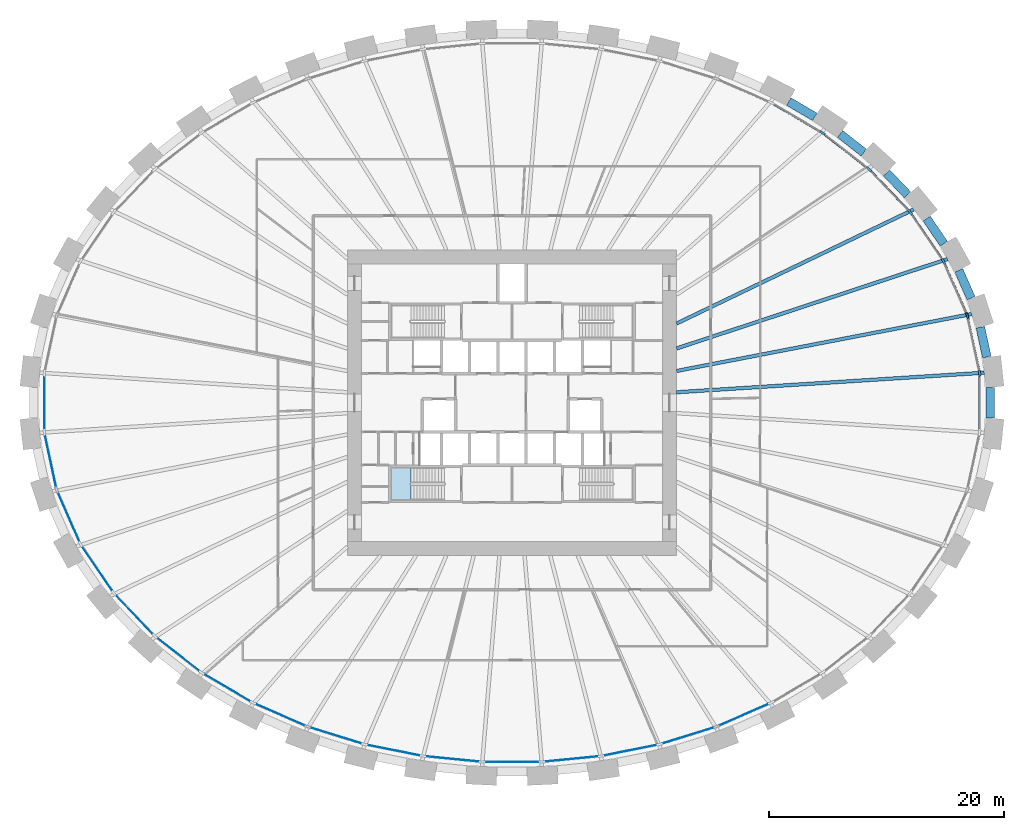
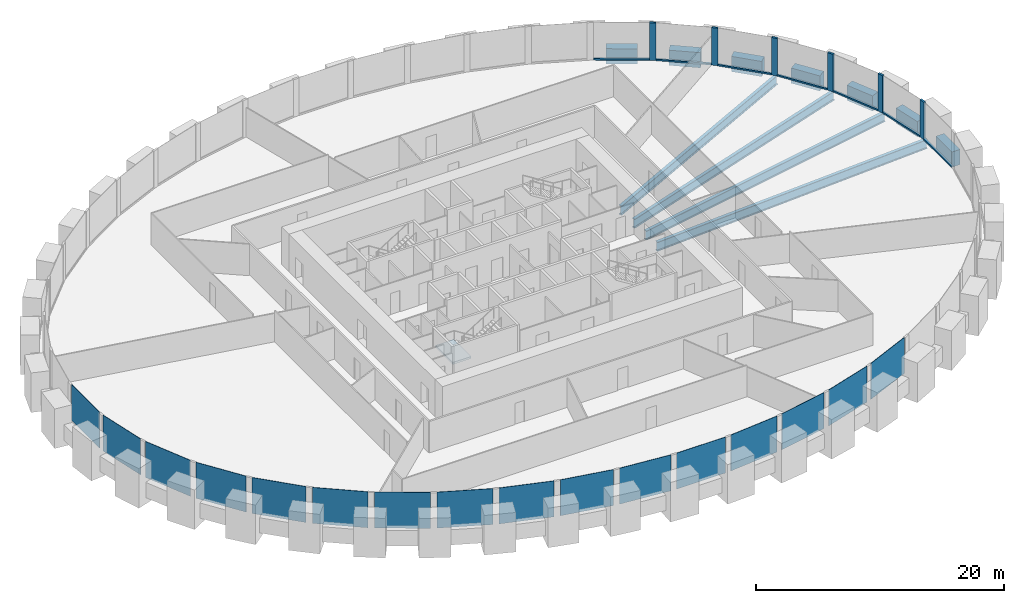
# One storey, part 4 of 10: 16 plates, 13 members, 11 beams, 1 slab, 2 elements without a shape of their own.
"""IFC4 building model written with IfcOpenShell, lengths in metres."""

from ifc_helpers import new_model, si_unit, direction, frame, origin, origin_2d, place, context, subcontext, project, spatial, polyline, rectangle, i_section, outline, extrude, source, transform, mapped, material, layer, layer_set, material_profile, profile_set, type_object, element, aggregate, save


model = new_model("IFC4")

# Units and contexts
model_context = context("Model", 3, precision=1e-05, world=origin(), true_north=direction((0.0, 1.0)))
body_context = subcontext(model_context, "Body", "Model", "MODEL_VIEW")
ifc_project = project(units=[si_unit("LENGTHUNIT", "METRE"), si_unit("AREAUNIT", "SQUARE_METRE"), si_unit("VOLUMEUNIT", "CUBIC_METRE"), si_unit("PLANEANGLEUNIT", "RADIAN"), si_unit("MASSUNIT", "GRAM", prefix="KILO")], contexts=[model_context])

# Site, building, storey
site_placement = place(None, origin())
site = spatial("IfcSite", under=ifc_project, at=site_placement, CompositionType="ELEMENT")
building_placement = place(site_placement, origin())
building = spatial("IfcBuilding", under=site, at=building_placement, Name="Embergate Tower", CompositionType="ELEMENT")
storey_placement = place(building_placement, frame((0.0, 0.0, 93.199951171875)))
storey = spatial("IfcBuildingStorey", under=building, at=storey_placement, Name="L19", CompositionType="ELEMENT", Elevation=93.199951171875)

# Beams
ifc_material_1 = material(Name="Concrete C70", Category="concrete")
ifc_material_profile_1 = material_profile(ifc_material_1, rectangle(XDim=0.75, YDim=1.5, at=origin_2d()), Name="RC 750x1500")
ifc_profile_set_1 = profile_set([ifc_material_profile_1], Name="Concrete C70")
beam_type_1 = type_object("IfcBeamType", Name="Spandrel beam RC 750x1500 C70", PredefinedType="BEAM", material=ifc_profile_set_1)
shared_shape_1 = source(origin(), body_context, "Body", "SweptSolid", [
    extrude(rectangle(XDim=0.75, YDim=1.5, at=origin_2d()), origin(), (0.0, 0.0, 1.0), 2.593017578125),
])
beam_1_placement = place(storey_placement, frame((40.383056640625, 3.882080078125, 0.0), z_axis=(-0.210615598697, 0.977568958993, 0.0), x_axis=(-0.977568958993, -0.210615598697, 0.0)))
element("IfcBeam", 1, at=beam_1_placement, inside=storey, type_object=beam_type_1, Name="SPN-L19-00", PredefinedType="BEAM", context=body_context, shape_type="MappedRepresentation", body=[
    mapped(shared_shape_1, transform((0.0, 0.0, 0.0))),
])
shared_shape_2 = source(origin(), body_context, "Body", "SweptSolid", [
    extrude(rectangle(XDim=0.75, YDim=1.5, at=origin_2d()), origin(), (0.0, 0.0, 1.0), 2.587646484375),
])
beam_2_placement = place(storey_placement, frame((39.037109375, 8.89111328125, 0.0), z_axis=(-0.401546272055, 0.915838736568, 0.0), x_axis=(-0.915838736568, -0.401546272055, 0.0)))
element("IfcBeam", 2, at=beam_2_placement, inside=storey, type_object=beam_type_1, Name="SPN-L19-01", PredefinedType="BEAM", context=body_context, shape_type="MappedRepresentation", body=[
    mapped(shared_shape_2, transform((0.0, 0.0, 0.0))),
])
shared_shape_3 = source(origin(), body_context, "Body", "SweptSolid", [
    extrude(rectangle(XDim=0.75, YDim=1.5, at=origin_2d()), origin(), (0.0, 0.0, 1.0), 2.5791015625),
])
beam_3_placement = place(storey_placement, frame((36.721923828125, 13.52587890625, 0.0), z_axis=(-0.562170202136, 0.82702156189, 0.0), x_axis=(-0.82702156189, -0.562170202136, 0.0)))
element("IfcBeam", 3, at=beam_3_placement, inside=storey, type_object=beam_type_1, Name="SPN-L19-02", PredefinedType="BEAM", context=body_context, shape_type="MappedRepresentation", body=[
    mapped(shared_shape_3, transform((0.0, 0.0, 0.0))),
])
shared_shape_4 = source(origin(), body_context, "Body", "SweptSolid", [
    extrude(rectangle(XDim=0.75, YDim=1.5, at=origin_2d()), origin(), (0.0, 0.0, 1.0), 2.57373046875),
])
beam_4_placement = place(storey_placement, frame((33.637939453125, 17.680908203125, 0.0), z_axis=(-0.689972491303, 0.723835589927, 0.0), x_axis=(-0.723835589927, -0.689972491303, 0.0)))
element("IfcBeam", 4, at=beam_4_placement, inside=storey, type_object=beam_type_1, Name="SPN-L19-03", PredefinedType="BEAM", context=body_context, shape_type="MappedRepresentation", body=[
    mapped(shared_shape_4, transform((0.0, 0.0, 0.0))),
])
shared_shape_5 = source(origin(), body_context, "Body", "SweptSolid", [
    extrude(rectangle(XDim=0.75, YDim=1.5, at=origin_2d()), origin(), (0.0, 0.0, 1.0), 2.5654296875),
])
beam_5_placement = place(storey_placement, frame((29.9208984375, 21.27392578125, 0.0), z_axis=(-0.788131123291, 0.615507378103, 0.0), x_axis=(-0.615507378103, -0.788131123291, 0.0)))
element("IfcBeam", 5, at=beam_5_placement, inside=storey, type_object=beam_type_1, Name="SPN-L19-04", PredefinedType="BEAM", context=body_context, shape_type="MappedRepresentation", body=[
    mapped(shared_shape_5, transform((0.0, 0.0, 0.0))),
])
shared_shape_6 = source(origin(), body_context, "Body", "SweptSolid", [
    extrude(rectangle(XDim=0.75, YDim=1.5, at=origin_2d()), origin(), (0.0, 0.0, 1.0), 2.561279296875),
])
beam_6_placement = place(storey_placement, frame((25.7490234375, 24.31494140625, 0.0), z_axis=(-0.862059156479, 0.506807666409, 0.0), x_axis=(-0.506807666409, -0.862059156479, 0.0)))
element("IfcBeam", 6, at=beam_6_placement, inside=storey, type_object=beam_type_1, Name="SPN-L19-05", PredefinedType="BEAM", context=body_context, shape_type="MappedRepresentation", body=[
    mapped(shared_shape_6, transform((0.0, 0.0, 0.0))),
])
shared_shape_7 = source(origin(), body_context, "Body", "SweptSolid", [
    extrude(rectangle(XDim=0.75, YDim=1.5, at=origin_2d()), origin(), (0.0, 0.0, 1.0), 2.59814453125),
])
beam_7_placement = place(storey_placement, frame((40.677978515625, -1.299072265625, 0.0), z_axis=(0.0, 1.0, 0.0), x_axis=(-1.0, 0.0, 0.0)))
element("IfcBeam", 7, at=beam_7_placement, inside=storey, type_object=beam_type_1, Name="SPN-L19-43", PredefinedType="BEAM", context=body_context, shape_type="MappedRepresentation", body=[
    mapped(shared_shape_7, transform((0.0, 0.0, 0.0))),
])
ifc_material_2 = material(Name="Steel Q355B", Category="steel")
ifc_material_profile_2 = material_profile(ifc_material_2, i_section(OverallWidth=0.300048828125, OverallDepth=0.89990234375, WebThickness=0.01611328125, FlangeThickness=0.028076171875, FilletRadius=0.028076171875, at=origin_2d()), Name="HN 900x300x16x28")
ifc_profile_set_2 = profile_set([ifc_material_profile_2], Name="Steel Q355 grade B")
beam_type_2 = type_object("IfcBeamType", Name="Radial girder HN 900x300x16x28", PredefinedType="BEAM", material=ifc_profile_set_2)
shared_shape_8 = source(origin(), body_context, "Body", "SweptSolid", [
    extrude(i_section(OverallWidth=0.300048828125, OverallDepth=0.89990234375, WebThickness=0.01611328125, FlangeThickness=0.028076171875, FilletRadius=0.028076171875, at=origin_2d()), origin(), (0.0, 0.0, 1.0), 26.2158203125),
])
beam_8_placement = place(storey_placement, frame((40.1630859375, 2.551025390625, -0.64990234375), z_axis=(-0.997988133713, -0.063400985539, 0.0), x_axis=(0.063400985539, -0.997988133713, 0.0)))
element("IfcBeam", 8, at=beam_8_placement, inside=storey, type_object=beam_type_2, Name="GIR-L19-00", PredefinedType="BEAM", context=body_context, shape_type="MappedRepresentation", body=[
    mapped(shared_shape_8, transform((0.0, 0.0, 0.0))),
])
shared_shape_9 = source(origin(), body_context, "Body", "SweptSolid", [
    extrude(i_section(OverallWidth=0.300048828125, OverallDepth=0.89990234375, WebThickness=0.01611328125, FlangeThickness=0.028076171875, FilletRadius=0.028076171875, at=origin_2d()), origin(), (0.0, 0.0, 1.0), 25.5517578125),
])
beam_9_placement = place(storey_placement, frame((39.089111328125, 7.541015625, -0.64990234375), z_axis=(-0.981895532799, -0.189423236878, 0.0), x_axis=(0.189423236878, -0.981895532799, 0.0)))
element("IfcBeam", 9, at=beam_9_placement, inside=storey, type_object=beam_type_2, Name="GIR-L19-01", PredefinedType="BEAM", context=body_context, shape_type="MappedRepresentation", body=[
    mapped(shared_shape_9, transform((0.0, 0.0, 0.0))),
])
shared_shape_10 = source(origin(), body_context, "Body", "SweptSolid", [
    extrude(i_section(OverallWidth=0.300048828125, OverallDepth=0.89990234375, WebThickness=0.01611328125, FlangeThickness=0.028076171875, FilletRadius=0.028076171875, at=origin_2d()), origin(), (0.0, 0.0, 1.0), 24.259521484375),
])
beam_10_placement = place(storey_placement, frame((37.0390625, 12.215087890625, -0.64990234375), z_axis=(-0.949686852887, -0.313201024029, 0.0), x_axis=(0.313201024029, -0.949686852887, 0.0)))
element("IfcBeam", 10, at=beam_10_placement, inside=storey, type_object=beam_type_2, Name="GIR-L19-02", PredefinedType="BEAM", context=body_context, shape_type="MappedRepresentation", body=[
    mapped(shared_shape_10, transform((0.0, 0.0, 0.0))),
])
shared_shape_11 = source(origin(), body_context, "Body", "SweptSolid", [
    extrude(i_section(OverallWidth=0.300048828125, OverallDepth=0.89990234375, WebThickness=0.01611328125, FlangeThickness=0.028076171875, FilletRadius=0.028076171875, at=origin_2d()), origin(), (0.0, 0.0, 1.0), 22.381103515625),
])
beam_11_placement = place(storey_placement, frame((34.1689453125, 16.43701171875, -0.64990234375), z_axis=(-0.901159999326, -0.4334866268, 0.0), x_axis=(0.4334866268, -0.901159999326, 0.0)))
element("IfcBeam", 11, at=beam_11_placement, inside=storey, type_object=beam_type_2, Name="GIR-L19-03", PredefinedType="BEAM", context=body_context, shape_type="MappedRepresentation", body=[
    mapped(shared_shape_11, transform((0.0, 0.0, 0.0))),
])

# Curtain wall, members, plates
ifc_material_3 = material(Name="Aluminium and glass", Category="aluminium")
curtain_wall_type = type_object("IfcCurtainWallType", Name="Recessed office glazing", PredefinedType="NOTDEFINED", material=ifc_material_3)
curtain_wall_placement = place(storey_placement, origin())
curtain_wall = element("IfcCurtainWall", 12, at=curtain_wall_placement, inside=storey, type_object=curtain_wall_type, Name="Recessed office glazing ring", ObjectType="RECESSED OFFICE GLAZING", PredefinedType="USERDEFINED")
ifc_material_4 = material(Name="Aluminium, thermally broken", Category="aluminium")
ifc_material_profile_3 = material_profile(ifc_material_4, rectangle(XDim=0.179931640625, YDim=0.52001953125, at=origin_2d()), Name="AL 520x180")
ifc_profile_set_3 = profile_set([ifc_material_profile_3], Name="Aluminium, thermally broken")
member_type_1 = type_object("IfcMemberType", Name="Office mullion", PredefinedType="MULLION", material=ifc_profile_set_3)
shared_shape_12 = source(origin(), body_context, "Body", "SweptSolid", [
    extrude(rectangle(XDim=0.179931640625, YDim=0.52001953125, at=origin_2d()), origin(), (0.0, 0.0, 1.0), 3.699951171875),
])
member_1_placement = place(storey_placement, frame((39.775390625, 2.509765625, 0.0), z_axis=(0.0, 0.0, 1.0), x_axis=(-0.994385324123, -0.105819786286, 0.0)))
member_1 = element("IfcMember", 13, at=member_1_placement, type_object=member_type_1, Name="CW mullion 1", PredefinedType="MULLION", context=body_context, shape_type="MappedRepresentation", body=[
    mapped(shared_shape_12, transform((0.0, 0.0, 0.0))),
])
member_2_placement = place(storey_placement, frame((38.718994140625, 7.41943359375, 0.0), z_axis=(0.0, 0.0, 1.0), x_axis=(-0.951500482757, -0.30764725143, 0.0)))
member_2 = element("IfcMember", 14, at=member_2_placement, type_object=member_type_1, Name="CW mullion 2", PredefinedType="MULLION", context=body_context, shape_type="MappedRepresentation", body=[
    mapped(shared_shape_12, transform((0.0, 0.0, 0.0))),
])
member_3_placement = place(storey_placement, frame((36.698974609375, 12.025390625, 0.0), z_axis=(0.0, 0.0, 1.0), x_axis=(-0.875006120538, -0.484111855898, 0.0)))
member_3 = element("IfcMember", 15, at=member_3_placement, type_object=member_type_1, Name="CW mullion 3", PredefinedType="MULLION", context=body_context, shape_type="MappedRepresentation", body=[
    mapped(shared_shape_12, transform((0.0, 0.0, 0.0))),
])
member_4_placement = place(storey_placement, frame((33.86572265625, 16.19140625, 0.0), z_axis=(0.0, 0.0, 1.0), x_axis=(-0.777878048342, -0.628415262312, 0.0)))
member_4 = element("IfcMember", 16, at=member_4_placement, type_object=member_type_1, Name="CW mullion 4", PredefinedType="MULLION", context=body_context, shape_type="MappedRepresentation", body=[
    mapped(shared_shape_12, transform((0.0, 0.0, 0.0))),
])
member_5_placement = place(storey_placement, frame((30.382568359375, 19.84375, 0.0), z_axis=(0.0, 0.0, 1.0), x_axis=(-0.671231708857, -0.741247592256, 0.0)))
member_5 = element("IfcMember", 17, at=member_5_placement, type_object=member_type_1, Name="CW mullion 5", PredefinedType="MULLION", context=body_context, shape_type="MappedRepresentation", body=[
    mapped(shared_shape_12, transform((0.0, 0.0, 0.0))),
])
member_6_placement = place(storey_placement, frame((26.39794921875, 22.95361328125, 0.0), z_axis=(0.0, 0.0, 1.0), x_axis=(-0.562220505278, -0.826987365953, 0.0)))
member_6 = element("IfcMember", 18, at=member_6_placement, type_object=member_type_1, Name="CW mullion 6", PredefinedType="MULLION", context=body_context, shape_type="MappedRepresentation", body=[
    mapped(shared_shape_12, transform((0.0, 0.0, 0.0))),
])
ifc_material_profile_4 = material_profile(ifc_material_4, rectangle(XDim=0.179931640625, YDim=0.14990234375, at=origin_2d()), Name="AL 150x180")
ifc_profile_set_4 = profile_set([ifc_material_profile_4], Name="Aluminium, thermally broken")
member_type_2 = type_object("IfcMemberType", Name="Office sill transom", PredefinedType="USERDEFINED", material=ifc_profile_set_4)
shared_shape_13 = source(origin(), body_context, "Body", "SweptSolid", [
    extrude(rectangle(XDim=0.179931640625, YDim=0.14990234375, at=origin_2d()), origin(), (0.0, 0.0, 1.0), 4.502197265625),
])
member_7_placement = place(storey_placement, frame((39.720703125, 2.763916015625, 0.074951171875), z_axis=(-0.210351167002, 0.977625892937, 0.0), x_axis=(-0.977625892937, -0.210351167002, 0.0)))
member_7 = element("IfcMember", 19, at=member_7_placement, type_object=member_type_2, Name="CW transom 1.1", ObjectType="TRANSOM", PredefinedType="USERDEFINED", context=body_context, shape_type="MappedRepresentation", body=[
    mapped(shared_shape_13, transform((0.0, 0.0, 0.0))),
])
shared_shape_14 = source(origin(), body_context, "Body", "SweptSolid", [
    extrude(rectangle(XDim=0.179931640625, YDim=0.14990234375, at=origin_2d()), origin(), (0.0, 0.0, 1.0), 4.50927734375),
])
member_8_placement = place(storey_placement, frame((38.614501953125, 7.65771484375, 0.074951171875), z_axis=(-0.401687783821, 0.915776678197, 0.0), x_axis=(-0.915776678197, -0.401687783821, 0.0)))
member_8 = element("IfcMember", 20, at=member_8_placement, type_object=member_type_2, Name="CW transom 2.1", ObjectType="TRANSOM", PredefinedType="USERDEFINED", context=body_context, shape_type="MappedRepresentation", body=[
    mapped(shared_shape_14, transform((0.0, 0.0, 0.0))),
])
shared_shape_15 = source(origin(), body_context, "Body", "SweptSolid", [
    extrude(rectangle(XDim=0.179931640625, YDim=0.14990234375, at=origin_2d()), origin(), (0.0, 0.0, 1.0), 4.51806640625),
])
member_9_placement = place(storey_placement, frame((36.552734375, 12.240234375, 0.074951171875), z_axis=(-0.562345492648, 0.826902380513, 0.0), x_axis=(-0.826902380513, -0.562345492648, 0.0)))
member_9 = element("IfcMember", 21, at=member_9_placement, type_object=member_type_2, Name="CW transom 3.1", ObjectType="TRANSOM", PredefinedType="USERDEFINED", context=body_context, shape_type="MappedRepresentation", body=[
    mapped(shared_shape_15, transform((0.0, 0.0, 0.0))),
])
shared_shape_16 = source(origin(), body_context, "Body", "SweptSolid", [
    extrude(rectangle(XDim=0.179931640625, YDim=0.14990234375, at=origin_2d()), origin(), (0.0, 0.0, 1.0), 4.527099609375),
])
member_10_placement = place(storey_placement, frame((33.686279296875, 16.37939453125, 0.074951171875), z_axis=(-0.690135768869, 0.723679915797, 0.0), x_axis=(-0.723679915797, -0.690135768869, 0.0)))
member_10 = element("IfcMember", 22, at=member_10_placement, type_object=member_type_2, Name="CW transom 4.1", ObjectType="TRANSOM", PredefinedType="USERDEFINED", context=body_context, shape_type="MappedRepresentation", body=[
    mapped(shared_shape_16, transform((0.0, 0.0, 0.0))),
])
shared_shape_17 = source(origin(), body_context, "Body", "SweptSolid", [
    extrude(rectangle(XDim=0.179931640625, YDim=0.14990234375, at=origin_2d()), origin(), (0.0, 0.0, 1.0), 4.53466796875),
])
member_11_placement = place(storey_placement, frame((30.177734375, 20.003662109375, 0.074951171875), z_axis=(-0.78831323582, 0.615274119584, 0.0), x_axis=(-0.615274119584, -0.78831323582, 0.0)))
member_11 = element("IfcMember", 23, at=member_11_placement, type_object=member_type_2, Name="CW transom 5.1", ObjectType="TRANSOM", PredefinedType="USERDEFINED", context=body_context, shape_type="MappedRepresentation", body=[
    mapped(shared_shape_17, transform((0.0, 0.0, 0.0))),
])
shared_shape_18 = source(origin(), body_context, "Body", "SweptSolid", [
    extrude(rectangle(XDim=0.179931640625, YDim=0.14990234375, at=origin_2d()), origin(), (0.0, 0.0, 1.0), 4.54052734375),
])
member_12_placement = place(storey_placement, frame((26.173828125, 23.08544921875, 0.074951171875), z_axis=(-0.862042012294, 0.506836826839, 0.0), x_axis=(-0.506836826839, -0.862042012294, 0.0)))
member_12 = element("IfcMember", 24, at=member_12_placement, type_object=member_type_2, Name="CW transom 6.1", ObjectType="TRANSOM", PredefinedType="USERDEFINED", context=body_context, shape_type="MappedRepresentation", body=[
    mapped(shared_shape_18, transform((0.0, 0.0, 0.0))),
])
shared_shape_19 = source(origin(), body_context, "Body", "SweptSolid", [
    extrude(rectangle(XDim=0.179931640625, YDim=0.14990234375, at=origin_2d()), origin(), (0.0, 0.0, 1.0), 4.49951171875),
])
member_13_placement = place(storey_placement, frame((39.775390625, -2.249755859375, 0.074951171875), z_axis=(0.0, 1.0, 0.0), x_axis=(-1.0, 0.0, 0.0)))
member_13 = element("IfcMember", 25, at=member_13_placement, type_object=member_type_2, Name="CW transom 44.1", ObjectType="TRANSOM", PredefinedType="USERDEFINED", context=body_context, shape_type="MappedRepresentation", body=[
    mapped(shared_shape_19, transform((0.0, 0.0, 0.0))),
])
ifc_material_5 = material(Name="Triple glazing, low-emissivity coating", Category="glass")
ifc_layer_1 = layer(ifc_material_5, 0.035888671875)
ifc_layer_set_1 = layer_set([ifc_layer_1], Name="Triple glazing, low-emissivity coating")
plate_type = type_object("IfcPlateType", Name="Office glazing unit", PredefinedType="CURTAIN_PANEL", material=ifc_layer_set_1)
shared_shape_20 = source(origin(), body_context, "Body", "SweptSolid", [
    extrude(rectangle(XDim=4.502197265625, YDim=0.035888671875, at=origin_2d()), origin(), (0.0, 0.0, 1.0), 3.550048828125),
])
plate_1_placement = place(storey_placement, frame((-39.247314453125, -4.964599609375, 0.14990234375), z_axis=(0.0, 0.0, 1.0), x_axis=(0.210396684915, -0.977616097953, 0.0)))
plate_1 = element("IfcPlate", 26, at=plate_1_placement, type_object=plate_type, Name="CW panel 23.1", PredefinedType="CURTAIN_PANEL", context=body_context, shape_type="MappedRepresentation", body=[
    mapped(shared_shape_20, transform((0.0, 0.0, 0.0))),
])
shared_shape_21 = source(origin(), body_context, "Body", "SweptSolid", [
    extrude(rectangle(XDim=4.50927734375, YDim=0.035888671875, at=origin_2d()), origin(), (0.0, 0.0, 1.0), 3.550048828125),
])
plate_2_placement = place(storey_placement, frame((-37.708984375, -9.722412109375, 0.14990234375), z_axis=(0.0, 0.0, 1.0), x_axis=(0.401650502798, -0.915793029894, 0.0)))
plate_2 = element("IfcPlate", 27, at=plate_2_placement, type_object=plate_type, Name="CW panel 24.1", PredefinedType="CURTAIN_PANEL", context=body_context, shape_type="MappedRepresentation", body=[
    mapped(shared_shape_21, transform((0.0, 0.0, 0.0))),
])
shared_shape_22 = source(origin(), body_context, "Body", "SweptSolid", [
    extrude(rectangle(XDim=4.518310546875, YDim=0.035888671875, at=origin_2d()), origin(), (0.0, 0.0, 1.0), 3.550048828125),
])
plate_3_placement = place(storey_placement, frame((-35.2822265625, -14.1083984375, 0.14990234375), z_axis=(0.0, 0.0, 1.0), x_axis=(0.562340298693, -0.826905912705, 0.0)))
plate_3 = element("IfcPlate", 28, at=plate_3_placement, type_object=plate_type, Name="CW panel 25.1", PredefinedType="CURTAIN_PANEL", context=body_context, shape_type="MappedRepresentation", body=[
    mapped(shared_shape_22, transform((0.0, 0.0, 0.0))),
])
shared_shape_23 = source(origin(), body_context, "Body", "SweptSolid", [
    extrude(rectangle(XDim=4.527099609375, YDim=0.035888671875, at=origin_2d()), origin(), (0.0, 0.0, 1.0), 3.550048828125),
])
plate_4_placement = place(storey_placement, frame((-32.124267578125, -18.017578125, 0.14990234375), z_axis=(0.0, 0.0, 1.0), x_axis=(0.6901325214, -0.723683012724, 0.0)))
plate_4 = element("IfcPlate", 29, at=plate_4_placement, type_object=plate_type, Name="CW panel 26.1", PredefinedType="CURTAIN_PANEL", context=body_context, shape_type="MappedRepresentation", body=[
    mapped(shared_shape_23, transform((0.0, 0.0, 0.0))),
])
shared_shape_24 = source(origin(), body_context, "Body", "SweptSolid", [
    extrude(rectangle(XDim=4.534423828125, YDim=0.035888671875, at=origin_2d()), origin(), (0.0, 0.0, 1.0), 3.550048828125),
])
plate_5_placement = place(storey_placement, frame((-28.390380859375, -21.398681640625, 0.14990234375), z_axis=(0.0, 0.0, 1.0), x_axis=(0.788319045413, -0.615266676035, 0.0)))
plate_5 = element("IfcPlate", 30, at=plate_5_placement, type_object=plate_type, Name="CW panel 27.1", PredefinedType="CURTAIN_PANEL", context=body_context, shape_type="MappedRepresentation", body=[
    mapped(shared_shape_24, transform((0.0, 0.0, 0.0))),
])
shared_shape_25 = source(origin(), body_context, "Body", "SweptSolid", [
    extrude(rectangle(XDim=4.54052734375, YDim=0.035888671875, at=origin_2d()), origin(), (0.0, 0.0, 1.0), 3.550048828125),
])
plate_6_placement = place(storey_placement, frame((-24.216796875, -24.236083984375, 0.14990234375), z_axis=(0.0, 0.0, 1.0), x_axis=(0.862052283246, -0.506819357316, 0.0)))
plate_6 = element("IfcPlate", 31, at=plate_6_placement, type_object=plate_type, Name="CW panel 28.1", PredefinedType="CURTAIN_PANEL", context=body_context, shape_type="MappedRepresentation", body=[
    mapped(shared_shape_25, transform((0.0, 0.0, 0.0))),
])
shared_shape_26 = source(origin(), body_context, "Body", "SweptSolid", [
    extrude(rectangle(XDim=4.545166015625, YDim=0.035888671875, at=origin_2d()), origin(), (0.0, 0.0, 1.0), 3.550048828125),
])
plate_7_placement = place(storey_placement, frame((-19.715087890625, -26.533203125, 0.14990234375), z_axis=(0.0, 0.0, 1.0), x_axis=(0.916235512493, -0.400640094905, 0.0)))
plate_7 = element("IfcPlate", 32, at=plate_7_placement, type_object=plate_type, Name="CW panel 29.1", PredefinedType="CURTAIN_PANEL", context=body_context, shape_type="MappedRepresentation", body=[
    mapped(shared_shape_26, transform((0.0, 0.0, 0.0))),
])
plate_8_placement = place(storey_placement, frame((19.715087890625, -26.533203125, 0.14990234375), z_axis=(0.0, 0.0, 1.0), x_axis=(0.916235512493, 0.400640094905, 0.0)))
plate_8 = element("IfcPlate", 33, at=plate_8_placement, type_object=plate_type, Name="CW panel 37.1", PredefinedType="CURTAIN_PANEL", context=body_context, shape_type="MappedRepresentation", body=[
    mapped(shared_shape_26, transform((0.0, 0.0, 0.0))),
])
shared_shape_27 = source(origin(), body_context, "Body", "SweptSolid", [
    extrude(rectangle(XDim=4.548583984375, YDim=0.035888671875, at=origin_2d()), origin(), (0.0, 0.0, 1.0), 3.550048828125),
])
plate_9_placement = place(storey_placement, frame((-14.97509765625, -28.30126953125, 0.14990234375), z_axis=(0.0, 0.0, 1.0), x_axis=(0.95477169822, -0.297339880067, 0.0)))
plate_9 = element("IfcPlate", 34, at=plate_9_placement, type_object=plate_type, Name="CW panel 30.1", PredefinedType="CURTAIN_PANEL", context=body_context, shape_type="MappedRepresentation", body=[
    mapped(shared_shape_27, transform((0.0, 0.0, 0.0))),
])
plate_10_placement = place(storey_placement, frame((14.97509765625, -28.30126953125, 0.14990234375), z_axis=(0.0, 0.0, 1.0), x_axis=(0.95477169822, 0.297339880067, 0.0)))
plate_10 = element("IfcPlate", 35, at=plate_10_placement, type_object=plate_type, Name="CW panel 36.1", PredefinedType="CURTAIN_PANEL", context=body_context, shape_type="MappedRepresentation", body=[
    mapped(shared_shape_27, transform((0.0, 0.0, 0.0))),
])
shared_shape_28 = source(origin(), body_context, "Body", "SweptSolid", [
    extrude(rectangle(XDim=4.55078125, YDim=0.035888671875, at=origin_2d()), origin(), (0.0, 0.0, 1.0), 3.550048828125),
])
plate_11_placement = place(storey_placement, frame((-10.069580078125, -29.55322265625, 0.14990234375), z_axis=(0.0, 0.0, 1.0), x_axis=(0.980475564207, -0.196640962142, 0.0)))
plate_11 = element("IfcPlate", 36, at=plate_11_placement, type_object=plate_type, Name="CW panel 31.1", PredefinedType="CURTAIN_PANEL", context=body_context, shape_type="MappedRepresentation", body=[
    mapped(shared_shape_28, transform((0.0, 0.0, 0.0))),
])
plate_12_placement = place(storey_placement, frame((10.069580078125, -29.55322265625, 0.14990234375), z_axis=(0.0, 0.0, 1.0), x_axis=(0.980475564207, 0.196640962142, 0.0)))
plate_12 = element("IfcPlate", 37, at=plate_12_placement, type_object=plate_type, Name="CW panel 35.1", PredefinedType="CURTAIN_PANEL", context=body_context, shape_type="MappedRepresentation", body=[
    mapped(shared_shape_28, transform((0.0, 0.0, 0.0))),
])
shared_shape_29 = source(origin(), body_context, "Body", "SweptSolid", [
    extrude(rectangle(XDim=4.552001953125, YDim=0.035888671875, at=origin_2d()), origin(), (0.0, 0.0, 1.0), 3.550048828125),
])
plate_13_placement = place(storey_placement, frame((-5.06005859375, -30.300048828125, 0.14990234375), z_axis=(0.0, 0.0, 1.0), x_axis=(0.995203184788, -0.097829550688, 0.0)))
plate_13 = element("IfcPlate", 38, at=plate_13_placement, type_object=plate_type, Name="CW panel 32.1", PredefinedType="CURTAIN_PANEL", context=body_context, shape_type="MappedRepresentation", body=[
    mapped(shared_shape_29, transform((0.0, 0.0, 0.0))),
])
plate_14_placement = place(storey_placement, frame((5.06005859375, -30.300048828125, 0.14990234375), z_axis=(0.0, 0.0, 1.0), x_axis=(0.995203184788, 0.097829550688, 0.0)))
plate_14 = element("IfcPlate", 39, at=plate_14_placement, type_object=plate_type, Name="CW panel 34.1", PredefinedType="CURTAIN_PANEL", context=body_context, shape_type="MappedRepresentation", body=[
    mapped(shared_shape_29, transform((0.0, 0.0, 0.0))),
])
shared_shape_30 = source(origin(), body_context, "Body", "SweptSolid", [
    extrude(rectangle(XDim=4.552490234375, YDim=0.035888671875, at=origin_2d()), origin(), (0.0, 0.0, 1.0), 3.550048828125),
])
plate_15_placement = place(storey_placement, frame((0.0, -30.548095703125, 0.14990234375), z_axis=(0.0, 0.0, 1.0), x_axis=(1.0, 0.0, 0.0)))
plate_15 = element("IfcPlate", 40, at=plate_15_placement, type_object=plate_type, Name="CW panel 33.1", PredefinedType="CURTAIN_PANEL", context=body_context, shape_type="MappedRepresentation", body=[
    mapped(shared_shape_30, transform((0.0, 0.0, 0.0))),
])
shared_shape_31 = source(origin(), body_context, "Body", "SweptSolid", [
    extrude(rectangle(XDim=4.49951171875, YDim=0.035888671875, at=origin_2d()), origin(), (0.0, 0.0, 1.0), 3.550048828125),
])
plate_16_placement = place(storey_placement, frame((-39.775390625, 0.0, 0.14990234375), z_axis=(0.0, 0.0, 1.0), x_axis=(0.0, -1.0, 0.0)))
plate_16 = element("IfcPlate", 41, at=plate_16_placement, type_object=plate_type, Name="CW panel 22.1", PredefinedType="CURTAIN_PANEL", context=body_context, shape_type="MappedRepresentation", body=[
    mapped(shared_shape_31, transform((0.0, 0.0, 0.0))),
])
aggregate(curtain_wall, [member_1, member_2, member_3, member_4, member_5, member_6, member_7, member_8, member_9, member_10, member_11, member_12, plate_16, plate_1, plate_2, plate_3, plate_4, plate_5, plate_6, plate_7, plate_9, plate_11, plate_13, plate_15, plate_14, plate_12, plate_10, plate_8, member_13])

# Stair, slab
ifc_material_6 = material(Name="Exit stair")
stair_type = type_object("IfcStairType", Name="Exit stair", PredefinedType="HALF_TURN_STAIR", material=ifc_material_6)
stair_placement = place(storey_placement, origin())
stair = element("IfcStair", 42, at=stair_placement, inside=storey, type_object=stair_type, Name="L19 Exit stair 3", PredefinedType="HALF_TURN_STAIR")
ifc_material_7 = material(Name="Concrete C40", Category="concrete")
ifc_layer_2 = layer(ifc_material_7, 0.199951171875)
ifc_layer_set_2 = layer_set([ifc_layer_2], Name="Concrete C40")
slab_type = type_object("IfcSlabType", Name="Stair landing reinforced concrete", PredefinedType="LANDING", material=ifc_layer_set_2)
shared_shape_32 = source(origin(), body_context, "Body", "SweptSolid", [
    extrude(outline(polyline([(0.0, 0.0), (1.68994140625, 0.0), (1.68994140625, 2.800048828125), (0.0, 2.800048828125), (0.0, 0.0)])), origin(), (0.0, 0.0, 1.0), 0.199951171875),
])
slab_placement = place(storey_placement, frame((-10.300048828125, -8.300048828125, 1.75)))
slab = element("IfcSlab", 43, at=slab_placement, type_object=slab_type, Name="ST3 landing 1", PredefinedType="LANDING", context=body_context, shape_type="MappedRepresentation", body=[
    mapped(shared_shape_32, transform((0.0, 0.0, 0.0))),
])
aggregate(stair, [slab])

save(model, "model.ifc")
